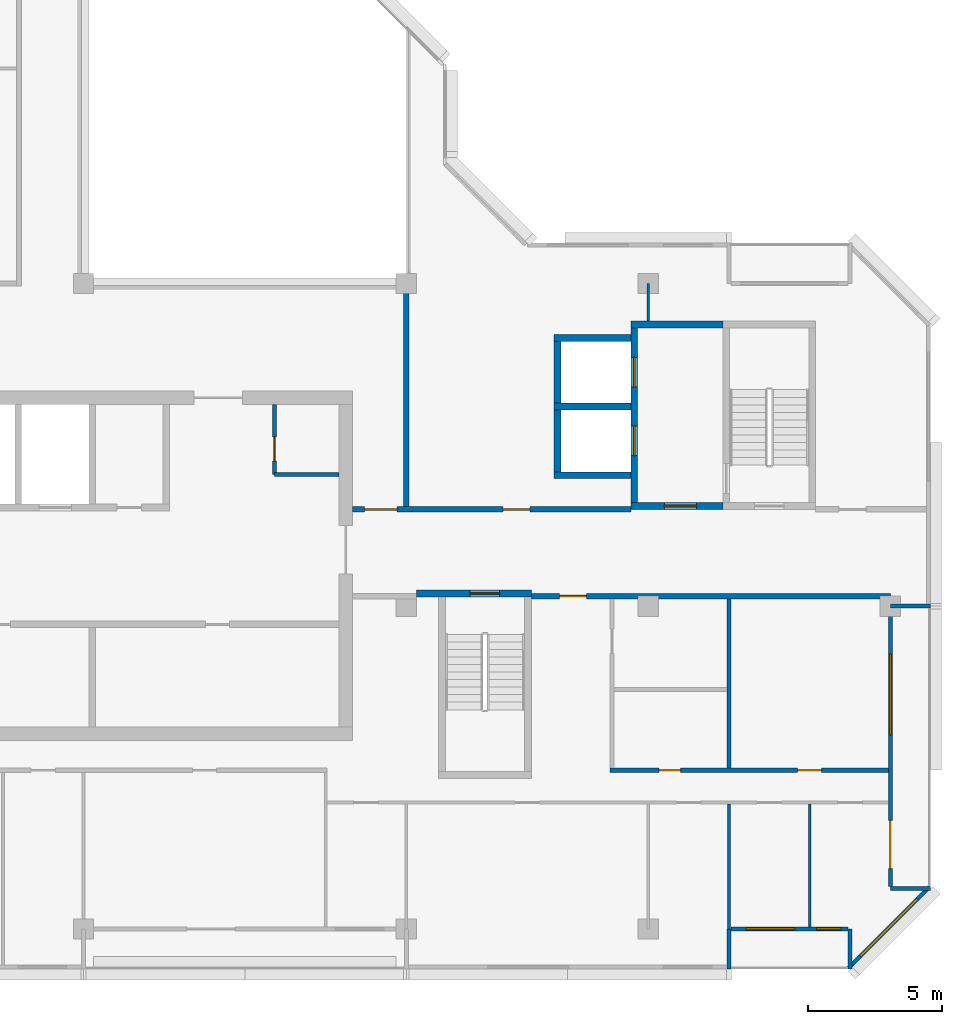
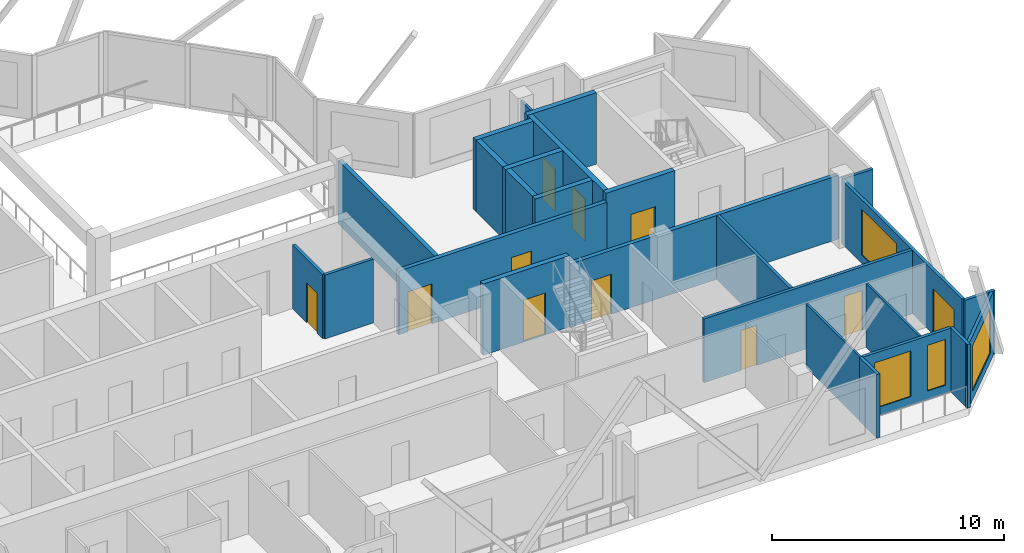
# One storey, part 6 of 12: 26 walls, 11 doors, 4 windows, 15 openings.
"""IFC4 building model written with IfcOpenShell, lengths in metres."""

from ifc_helpers import new_model, si_unit, direction, frame, frame_2d, origin, place, context, subcontext, project, spatial, rectangle, extrude, material, layer, layer_set, type_object, element, fill, save


model = new_model("IFC4")

# Units and contexts
model_context = context("Model", 3, precision=1e-05, world=origin(), true_north=direction((0.0, 1.0)))
body_context = subcontext(model_context, "Body", "Model", "MODEL_VIEW")
ifc_project = project(units=[si_unit("LENGTHUNIT", "METRE"), si_unit("AREAUNIT", "SQUARE_METRE"), si_unit("VOLUMEUNIT", "CUBIC_METRE"), si_unit("PLANEANGLEUNIT", "RADIAN"), si_unit("MASSUNIT", "GRAM", prefix="KILO")], contexts=[model_context])

# Site, building, storey
site_placement = place(None, origin())
site = spatial("IfcSite", under=ifc_project, at=site_placement, CompositionType="ELEMENT")
building_placement = place(site_placement, origin())
building = spatial("IfcBuilding", under=site, at=building_placement, Name="Chenar Terraces", CompositionType="ELEMENT")
storey_placement = place(building_placement, frame((0.0, 0.0, 368.89990234375)))
storey = spatial("IfcBuildingStorey", under=building, at=storey_placement, Name="L86", CompositionType="ELEMENT", Elevation=368.89990234375)

# Wall, opening, door
ifc_material_1 = material(Name="Gypsum board on steel studs", Category="steel")
ifc_layer_1 = layer(ifc_material_1, 0.14990234375)
ifc_layer_set_1 = layer_set([ifc_layer_1], Name="Gypsum board on steel studs")
wall_type_1 = type_object("IfcWallType", Name="Core partition 150 gypsum board", PredefinedType="PARTITIONING", material=ifc_layer_set_1)
wall_1_placement = place(storey_placement, frame((31.10009765625, 16.89990234375, 0.0), z_axis=(0.0, 0.0, 1.0), x_axis=(0.0, 1.0, 0.0)))
wall_1 = element("IfcWall", 1, at=wall_1_placement, inside=storey, type_object=wall_type_1, Name="Core partition CP1 vestibule room west wall", PredefinedType="PARTITIONING", context=body_context, shape_type="SweptSolid", body=[
    extrude(rectangle(XDim=2.60009765625, YDim=0.14990234375, at=frame_2d((1.300048828125, 0.0))), origin(), (0.0, 0.0, 1.0), 3.35009765625),
])
opening_1_placement = place(wall_1_placement, frame((0.5, 0.0, 0.0)))
opening_1 = element("IfcOpeningElement", 2, at=opening_1_placement, cuts=wall_1, Name="Opening DL86-C16", PredefinedType="OPENING", context=body_context, shape_type="SweptSolid", body=[
    extrude(rectangle(XDim=0.89990234375, YDim=2.10009765625, at=frame_2d((0.449951171875, 1.050048828125))), frame((0.0, 0.0849609375, 0.0), z_axis=(0.0, -1.0, 0.0), x_axis=(1.0, 0.0, 0.0)), (0.0, 0.0, 1.0), 0.169921875),
])
ifc_material_2 = material(Name="Steel-framed fire-resisting door leaf", Category="steel")
door_type_1 = type_object("IfcDoorType", Name="Riser fire door FD60 900 x 2100", OperationType="SINGLE_SWING_LEFT", PredefinedType="DOOR", material=ifc_material_2)
door_1_placement = place(opening_1_placement, frame((0.89990234375, 0.0, 0.0), z_axis=(0.0, 0.0, 1.0), x_axis=(-1.0, 0.0, 0.0)))
door_1 = element("IfcDoor", 3, at=door_1_placement, inside=storey, type_object=door_type_1, Name="Core room door DL86-C16", OperationType="SINGLE_SWING_RIGHT", OverallHeight=2.10009765625, OverallWidth=0.89990234375, PredefinedType="DOOR", context=body_context, shape_type="SweptSolid", body=[
    extrude(rectangle(XDim=0.89990234375, YDim=2.10009765625, at=frame_2d((0.449951171875, 1.050048828125))), frame((0.0, 0.02490234375, 0.0), z_axis=(0.0, -1.0, 0.0), x_axis=(1.0, 0.0, 0.0)), (0.0, 0.0, 1.0), 0.050048828125),
])
fill(opening_1, door_1)

# Wall
wall_2_placement = place(storey_placement, frame((31.10009765625, 16.89990234375, 0.0), z_axis=(0.0, 0.0, 1.0), x_axis=(1.0, 0.0, 0.0)))
element("IfcWall", 4, at=wall_2_placement, inside=storey, type_object=wall_type_1, Name="Core partition CP1 vestibule room south wall", PredefinedType="PARTITIONING", context=body_context, shape_type="SweptSolid", body=[
    extrude(rectangle(XDim=2.39990234375, YDim=0.14990234375, at=frame_2d((1.199951171875, 0.0))), origin(), (0.0, 0.0, 1.0), 3.35009765625),
])

# Wall, opening, door
ifc_material_3 = material(Name="Concrete C50/60", Category="concrete")
ifc_layer_2 = layer(ifc_material_3, 0.25)
ifc_layer_set_2 = layer_set([ifc_layer_2], Name="Concrete C50/60")
wall_type_2 = type_object("IfcWallType", Name="Core wall 250 Concrete C50/60", PredefinedType="SHEAR", material=ifc_layer_set_2)
wall_3_placement = place(storey_placement, frame((36.375, 12.47509765625, 0.0), z_axis=(0.0, 0.0, 1.0), x_axis=(1.0, 0.0, 0.0)))
wall_3 = element("IfcWall", 5, at=wall_3_placement, inside=storey, type_object=wall_type_2, Name="Core wall ST2_N L86", PredefinedType="SHEAR", context=body_context, shape_type="SweptSolid", body=[
    extrude(rectangle(XDim=4.27490234375, YDim=0.25, at=frame_2d((2.137451171875, 0.0))), origin(), (0.0, 0.0, 1.0), 3.75),
])
opening_2_placement = place(wall_3_placement, frame((2.0, 0.0, 0.0)))
opening_2 = element("IfcOpeningElement", 6, at=opening_2_placement, cuts=wall_3, Name="Opening DL86-C7", PredefinedType="OPENING", context=body_context, shape_type="SweptSolid", body=[
    extrude(rectangle(XDim=1.10009765625, YDim=2.199951171875, at=frame_2d((0.550048828125, 1.10009765625))), frame((0.0, 0.135009765625, 0.0), z_axis=(0.0, -1.0, 0.0), x_axis=(1.0, 0.0, 0.0)), (0.0, 0.0, 1.0), 0.27001953125),
])
ifc_material_4 = material(Name="Steel-framed fire-resisting door leaf", Category="steel")
door_type_2 = type_object("IfcDoorType", Name="Stair fire door FD60 1100 x 2200", OperationType="SINGLE_SWING_LEFT", PredefinedType="DOOR", material=ifc_material_4)
door_2_placement = place(opening_2_placement, frame((1.10009765625, 0.0, 0.0), z_axis=(0.0, 0.0, 1.0), x_axis=(-1.0, 0.0, 0.0)))
door_2 = element("IfcDoor", 7, at=door_2_placement, inside=storey, type_object=door_type_2, Name="Stair door DL86-C7", OperationType="SINGLE_SWING_LEFT", OverallHeight=2.199951171875, OverallWidth=1.10009765625, PredefinedType="DOOR", context=body_context, shape_type="SweptSolid", body=[
    extrude(rectangle(XDim=1.10009765625, YDim=2.199951171875, at=frame_2d((0.550048828125, 1.10009765625))), frame((0.0, 0.02490234375, 0.0), z_axis=(0.0, -1.0, 0.0), x_axis=(1.0, 0.0, 0.0)), (0.0, 0.0, 1.0), 0.050048828125),
])
fill(opening_2, door_2)

wall_4_placement = place(storey_placement, frame((44.35009765625, 15.72509765625, 0.0), z_axis=(0.0, 0.0, 1.0), x_axis=(1.0, 0.0, 0.0)))
wall_4 = element("IfcWall", 8, at=wall_4_placement, inside=storey, type_object=wall_type_2, Name="Core wall F3_LS L86", PredefinedType="SHEAR", context=body_context, shape_type="SweptSolid", body=[
    extrude(rectangle(XDim=3.4248046875, YDim=0.25, at=frame_2d((1.71240234375, 0.0))), origin(), (0.0, 0.0, 1.0), 3.75),
])
opening_3_placement = place(wall_4_placement, frame((1.25, 0.0, 0.0)))
opening_3 = element("IfcOpeningElement", 9, at=opening_3_placement, cuts=wall_4, Name="Opening DL86-C10", PredefinedType="OPENING", context=body_context, shape_type="SweptSolid", body=[
    extrude(rectangle(XDim=1.199951171875, YDim=2.199951171875, at=frame_2d((0.60009765625, 1.10009765625))), frame((0.0, 0.135009765625, 0.0), z_axis=(0.0, -1.0, 0.0), x_axis=(1.0, 0.0, 0.0)), (0.0, 0.0, 1.0), 0.27001953125),
])
ifc_material_5 = material(Name="Steel-framed fire-resisting door leaf", Category="steel")
door_type_3 = type_object("IfcDoorType", Name="Lobby fire door FD60 1200 x 2200", OperationType="SINGLE_SWING_LEFT", PredefinedType="DOOR", material=ifc_material_5)
door_3_placement = place(opening_3_placement, origin())
door_3 = element("IfcDoor", 10, at=door_3_placement, inside=storey, type_object=door_type_3, Name="Core door DL86-C10", OperationType="SINGLE_SWING_RIGHT", OverallHeight=2.199951171875, OverallWidth=1.199951171875, PredefinedType="DOOR", context=body_context, shape_type="SweptSolid", body=[
    extrude(rectangle(XDim=1.199951171875, YDim=2.199951171875, at=frame_2d((0.60009765625, 1.10009765625))), frame((0.0, 0.02490234375, 0.0), z_axis=(0.0, -1.0, 0.0), x_axis=(1.0, 0.0, 0.0)), (0.0, 0.0, 1.0), 0.050048828125),
])
fill(opening_3, door_3)

# Wall
wall_5_placement = place(storey_placement, frame((44.35009765625, 22.47509765625, 0.0), z_axis=(0.0, 0.0, 1.0), x_axis=(1.0, 0.0, 0.0)))
element("IfcWall", 11, at=wall_5_placement, inside=storey, type_object=wall_type_2, Name="Core wall F3_LN L86", PredefinedType="SHEAR", context=body_context, shape_type="SweptSolid", body=[
    extrude(rectangle(XDim=3.4248046875, YDim=0.25, at=frame_2d((1.71240234375, 0.0))), origin(), (0.0, 0.0, 1.0), 3.75),
])

# Wall, openings, doors
wall_6_placement = place(storey_placement, frame((44.47509765625, 15.85009765625, 0.0), z_axis=(0.0, 0.0, 1.0), x_axis=(0.0, 1.0, 0.0)))
wall_6 = element("IfcWall", 12, at=wall_6_placement, inside=storey, type_object=wall_type_2, Name="Core wall F3_LW L86", PredefinedType="SHEAR", context=body_context, shape_type="SweptSolid", body=[
    extrude(rectangle(XDim=6.5, YDim=0.25, at=frame_2d((3.25, 0.0))), origin(), (0.0, 0.0, 1.0), 3.75),
])
opening_4_placement = place(wall_6_placement, frame((1.75, 0.0, 0.0)))
opening_4 = element("IfcOpeningElement", 13, at=opening_4_placement, cuts=wall_6, Name="Opening DL86-LD8", PredefinedType="OPENING", context=body_context, shape_type="SweptSolid", body=[
    extrude(rectangle(XDim=1.10009765625, YDim=2.199951171875, at=frame_2d((0.550048828125, 1.10009765625))), frame((0.0, 0.135009765625, 0.0), z_axis=(0.0, -1.0, 0.0), x_axis=(1.0, 0.0, 0.0)), (0.0, 0.0, 1.0), 0.27001953125),
])
opening_5_placement = place(wall_6_placement, frame((4.300048828125, 0.0, 0.0)))
opening_5 = element("IfcOpeningElement", 14, at=opening_5_placement, cuts=wall_6, Name="Opening DL86-LD9", PredefinedType="OPENING", context=body_context, shape_type="SweptSolid", body=[
    extrude(rectangle(XDim=1.10009765625, YDim=2.199951171875, at=frame_2d((0.550048828125, 1.10009765625))), frame((0.0, 0.135009765625, 0.0), z_axis=(0.0, -1.0, 0.0), x_axis=(1.0, 0.0, 0.0)), (0.0, 0.0, 1.0), 0.27001953125),
])
ifc_material_6 = material(Name="Stainless steel", Category="steel")
door_type_4 = type_object("IfcDoorType", Name="Lift landing door 1100 x 2200 sliding", OperationType="DOUBLE_DOOR_SLIDING", PredefinedType="DOOR", material=ifc_material_6)
door_4_placement = place(opening_4_placement, origin())
door_4 = element("IfcDoor", 15, at=door_4_placement, inside=storey, type_object=door_type_4, Name="Landing door F3", OperationType="DOUBLE_DOOR_SLIDING", OverallHeight=2.199951171875, OverallWidth=1.10009765625, PredefinedType="DOOR", context=body_context, shape_type="SweptSolid", body=[
    extrude(rectangle(XDim=1.10009765625, YDim=2.199951171875, at=frame_2d((0.550048828125, 1.10009765625))), frame((0.0, 0.02490234375, 0.0), z_axis=(0.0, -1.0, 0.0), x_axis=(1.0, 0.0, 0.0)), (0.0, 0.0, 1.0), 0.050048828125),
])
fill(opening_4, door_4)
door_5_placement = place(opening_5_placement, origin())
door_5 = element("IfcDoor", 16, at=door_5_placement, inside=storey, type_object=door_type_4, Name="Landing door F4", OperationType="DOUBLE_DOOR_SLIDING", OverallHeight=2.199951171875, OverallWidth=1.10009765625, PredefinedType="DOOR", context=body_context, shape_type="SweptSolid", body=[
    extrude(rectangle(XDim=1.10009765625, YDim=2.199951171875, at=frame_2d((0.550048828125, 1.10009765625))), frame((0.0, 0.02490234375, 0.0), z_axis=(0.0, -1.0, 0.0), x_axis=(1.0, 0.0, 0.0)), (0.0, 0.0, 1.0), 0.050048828125),
])
fill(opening_5, door_5)

# Walls
for number, where, z_axis, x_axis, name in (
    (17, (41.5, 16.875, 0.0), (0.0, 0.0, 1.0), (1.0, 0.0, 0.0), "Core wall F3_SS L86"),
    (18, (41.5, 19.425048828125, 0.0), (0.0, 0.0, 1.0), (1.0, 0.0, 0.0), "Core wall F3_SM L86"),
    (19, (41.5, 21.97509765625, 0.0), (0.0, 0.0, 1.0), (1.0, 0.0, 0.0), "Core wall F4_SN L86"),
):
    element("IfcWall", number, at=place(storey_placement, frame(where, z_axis=z_axis, x_axis=x_axis)), inside=storey, type_object=wall_type_2, Name=name, PredefinedType="SHEAR", context=body_context, shape_type="SweptSolid", body=[
        extrude(rectangle(XDim=2.85009765625, YDim=0.25, at=frame_2d((1.425048828125, 0.0))), origin(), (0.0, 0.0, 1.0), 3.75),
    ])
for number, where, z_axis, x_axis, name in (
    (20, (41.625, 17.0, 0.0), (0.0, 0.0, 1.0), (0.0, 1.0, 0.0), "Core wall F3_SW L86"),
    (21, (41.625, 19.550048828125, 0.0), (0.0, 0.0, 1.0), (0.0, 1.0, 0.0), "Core wall F4_SW L86"),
):
    element("IfcWall", number, at=place(storey_placement, frame(where, z_axis=z_axis, x_axis=x_axis)), inside=storey, type_object=wall_type_2, Name=name, PredefinedType="SHEAR", context=body_context, shape_type="SweptSolid", body=[
        extrude(rectangle(XDim=2.300048828125, YDim=0.25, at=frame_2d((1.14990234375, 0.0))), origin(), (0.0, 0.0, 1.0), 3.75),
    ])

# Wall, openings, doors
ifc_material_7 = material(Name="Gypsum board on steel studs with fire boards", Category="steel")
ifc_layer_3 = layer(ifc_material_7, 0.199951171875)
ifc_layer_set_3 = layer_set([ifc_layer_3], Name="Gypsum board on steel studs with fire boards")
wall_type_3 = type_object("IfcWallType", Name="Corridor wall 200", PredefinedType="PARTITIONING", material=ifc_layer_set_3)
wall_7_placement = place(storey_placement, frame((34.0, 15.60009765625, 0.0), z_axis=(0.0, 0.0, 1.0), x_axis=(1.0, 0.0, 0.0)))
wall_7 = element("IfcWall", 22, at=wall_7_placement, inside=storey, type_object=wall_type_3, Name="Partition L86-049", PredefinedType="PARTITIONING", context=body_context, shape_type="SweptSolid", body=[
    extrude(rectangle(XDim=10.35009765625, YDim=0.199951171875, at=frame_2d((5.175048828125, 0.0))), origin(), (0.0, 0.0, 1.0), 3.35009765625),
])
opening_6_placement = place(wall_7_placement, frame((5.60009765625, 0.0, 0.0)))
opening_6 = element("IfcOpeningElement", 23, at=opening_6_placement, cuts=wall_7, Name="Opening DL86-3", PredefinedType="OPENING", context=body_context, shape_type="SweptSolid", body=[
    extrude(rectangle(XDim=1.0, YDim=2.10009765625, at=frame_2d((0.5, 1.050048828125))), frame((0.0, 0.10986328125, 0.0), z_axis=(0.0, -1.0, 0.0), x_axis=(1.0, 0.0, 0.0)), (0.0, 0.0, 1.0), 0.219970703125),
])
opening_7_placement = place(wall_7_placement, frame((0.449951171875, 0.0, 0.0)))
opening_7 = element("IfcOpeningElement", 24, at=opening_7_placement, cuts=wall_7, Name="Opening DL86-16", PredefinedType="OPENING", context=body_context, shape_type="SweptSolid", body=[
    extrude(rectangle(XDim=1.199951171875, YDim=2.10009765625, at=frame_2d((0.60009765625, 1.050048828125))), frame((0.0, 0.10986328125, 0.0), z_axis=(0.0, -1.0, 0.0), x_axis=(1.0, 0.0, 0.0)), (0.0, 0.0, 1.0), 0.219970703125),
])
ifc_material_8 = material(Name="Steel-framed fire-resisting door leaf", Category="steel")
door_type_5 = type_object("IfcDoorType", Name="Fire door FD60 1000 x 2100", OperationType="SINGLE_SWING_LEFT", PredefinedType="DOOR", material=ifc_material_8)
door_6_placement = place(opening_6_placement, origin())
door_6 = element("IfcDoor", 25, at=door_6_placement, inside=storey, type_object=door_type_5, Name="Door DL86-3", OperationType="SINGLE_SWING_RIGHT", OverallHeight=2.10009765625, OverallWidth=1.0, PredefinedType="DOOR", context=body_context, shape_type="SweptSolid", body=[
    extrude(rectangle(XDim=1.0, YDim=2.10009765625, at=frame_2d((0.5, 1.050048828125))), frame((0.0, 0.02490234375, 0.0), z_axis=(0.0, -1.0, 0.0), x_axis=(1.0, 0.0, 0.0)), (0.0, 0.0, 1.0), 0.050048828125),
])
fill(opening_6, door_6)
ifc_material_9 = material(Name="Steel-framed fire-resisting door leaf", Category="steel")
door_type_6 = type_object("IfcDoorType", Name="Fire door FD60 1200 x 2100", OperationType="SINGLE_SWING_LEFT", PredefinedType="DOOR", material=ifc_material_9)
door_7_placement = place(opening_7_placement, origin())
door_7 = element("IfcDoor", 26, at=door_7_placement, inside=storey, type_object=door_type_6, Name="Door DL86-16", OperationType="SINGLE_SWING_RIGHT", OverallHeight=2.10009765625, OverallWidth=1.199951171875, PredefinedType="DOOR", context=body_context, shape_type="SweptSolid", body=[
    extrude(rectangle(XDim=1.199951171875, YDim=2.10009765625, at=frame_2d((0.60009765625, 1.050048828125))), frame((0.0, 0.02490234375, 0.0), z_axis=(0.0, -1.0, 0.0), x_axis=(1.0, 0.0, 0.0)), (0.0, 0.0, 1.0), 0.050048828125),
])
fill(opening_7, door_7)

# Wall
wall_8_placement = place(storey_placement, frame((36.0, 15.699951171875, 0.0), z_axis=(0.0, 0.0, 1.0), x_axis=(0.0, 1.0, 0.0)))
element("IfcWall", 27, at=wall_8_placement, inside=storey, type_object=wall_type_3, Name="Partition L86-051", PredefinedType="PARTITIONING", context=body_context, shape_type="SweptSolid", body=[
    extrude(rectangle(XDim=8.300048828125, YDim=0.199951171875, at=frame_2d((4.14990234375, 0.0))), origin(), (0.0, 0.0, 1.0), 3.35009765625),
])

# Wall, opening, door
wall_9_placement = place(storey_placement, frame((40.64990234375, 12.375, 0.0), z_axis=(0.0, 0.0, 1.0), x_axis=(1.0, 0.0, 0.0)))
wall_9 = element("IfcWall", 28, at=wall_9_placement, inside=storey, type_object=wall_type_3, Name="Partition L86-052", PredefinedType="PARTITIONING", context=body_context, shape_type="SweptSolid", body=[
    extrude(rectangle(XDim=13.35009765625, YDim=0.199951171875, at=frame_2d((6.675048828125, 0.0))), origin(), (0.0, 0.0, 1.0), 3.35009765625),
])
opening_8_placement = place(wall_9_placement, frame((1.050048828125, 0.0, 0.0)))
opening_8 = element("IfcOpeningElement", 29, at=opening_8_placement, cuts=wall_9, Name="Opening DL86-33", PredefinedType="OPENING", context=body_context, shape_type="SweptSolid", body=[
    extrude(rectangle(XDim=1.0, YDim=2.10009765625, at=frame_2d((0.5, 1.050048828125))), frame((0.0, 0.10986328125, 0.0), z_axis=(0.0, -1.0, 0.0), x_axis=(1.0, 0.0, 0.0)), (0.0, 0.0, 1.0), 0.219970703125),
])
ifc_material_10 = material(Name="Steel-framed fire-resisting door leaf", Category="steel")
door_type_7 = type_object("IfcDoorType", Name="Fire door FD30S 1000 x 2100", OperationType="SINGLE_SWING_LEFT", PredefinedType="DOOR", material=ifc_material_10)
door_8_placement = place(opening_8_placement, origin())
door_8 = element("IfcDoor", 30, at=door_8_placement, inside=storey, type_object=door_type_7, Name="Door DL86-33", OperationType="SINGLE_SWING_LEFT", OverallHeight=2.10009765625, OverallWidth=1.0, PredefinedType="DOOR", context=body_context, shape_type="SweptSolid", body=[
    extrude(rectangle(XDim=1.0, YDim=2.10009765625, at=frame_2d((0.5, 1.050048828125))), frame((0.0, 0.02490234375, 0.0), z_axis=(0.0, -1.0, 0.0), x_axis=(1.0, 0.0, 0.0)), (0.0, 0.0, 1.0), 0.050048828125),
])
fill(opening_8, door_8)

# Wall, openings, windows
ifc_material_11 = material(Name="Aluminium framed glazing", Category="aluminium")
ifc_layer_4 = layer(ifc_material_11, 0.14990234375)
ifc_layer_set_4 = layer_set([ifc_layer_4], Name="Aluminium framed glazing")
wall_type_4 = type_object("IfcWallType", Name="Glazed loggia back wall 150", PredefinedType="SOLIDWALL", material=ifc_layer_set_4)
wall_10_placement = place(storey_placement, frame((48.074951171875, 0.0, 0.0), z_axis=(0.0, 0.0, 1.0), x_axis=(1.0, 0.0, 0.0)))
wall_10 = element("IfcWall", 31, at=wall_10_placement, inside=storey, type_object=wall_type_4, Name="Glazed loggia back wall", PredefinedType="SOLIDWALL", context=body_context, shape_type="SweptSolid", body=[
    extrude(rectangle(XDim=4.35009765625, YDim=0.14990234375, at=frame_2d((2.175048828125, 0.0))), origin(), (0.0, 0.0, 1.0), 3.35009765625),
])
opening_9_placement = place(wall_10_placement, frame((0.5625, 0.0, 0.449951171875)))
opening_9 = element("IfcOpeningElement", 32, at=opening_9_placement, cuts=wall_10, Name="Opening W180x240", PredefinedType="OPENING", context=body_context, shape_type="SweptSolid", body=[
    extrude(rectangle(XDim=1.800048828125, YDim=2.39990234375, at=frame_2d((0.89990234375, 1.199951171875))), frame((0.0, 0.0849609375, 0.0), z_axis=(0.0, -1.0, 0.0), x_axis=(1.0, 0.0, 0.0)), (0.0, 0.0, 1.0), 0.169921875),
])
opening_10_placement = place(wall_10_placement, frame((3.1875, 0.0, 0.449951171875)))
opening_10 = element("IfcOpeningElement", 33, at=opening_10_placement, cuts=wall_10, Name="Opening W90x240", PredefinedType="OPENING", context=body_context, shape_type="SweptSolid", body=[
    extrude(rectangle(XDim=0.89990234375, YDim=2.39990234375, at=frame_2d((0.449951171875, 1.199951171875))), frame((0.0, 0.0849609375, 0.0), z_axis=(0.0, -1.0, 0.0), x_axis=(1.0, 0.0, 0.0)), (0.0, 0.0, 1.0), 0.169921875),
])
ifc_material_12 = material(Name="Low emissivity double glazing, aluminium frame", Category="aluminium")
window_type_1 = type_object("IfcWindowType", Name="Fixed light 1800 x 2400", PartitioningType="SINGLE_PANEL", PredefinedType="WINDOW", material=ifc_material_12)
window_1_placement = place(opening_9_placement, origin())
window_1 = element("IfcWindow", 34, at=window_1_placement, inside=storey, type_object=window_type_1, Name="Window", OverallHeight=2.39990234375, OverallWidth=1.800048828125, PartitioningType="SINGLE_PANEL", PredefinedType="WINDOW", context=body_context, shape_type="SweptSolid", body=[
    extrude(rectangle(XDim=1.800048828125, YDim=2.39990234375, at=frame_2d((0.89990234375, 1.199951171875))), frame((0.0, 0.030029296875, 0.0), z_axis=(0.0, -1.0, 0.0), x_axis=(1.0, 0.0, 0.0)), (0.0, 0.0, 1.0), 0.06005859375),
])
fill(opening_9, window_1)
ifc_material_13 = material(Name="Low emissivity double glazing, aluminium frame", Category="aluminium")
window_type_2 = type_object("IfcWindowType", Name="Fixed light 900 x 2400", PartitioningType="SINGLE_PANEL", PredefinedType="WINDOW", material=ifc_material_13)
window_2_placement = place(opening_10_placement, origin())
window_2 = element("IfcWindow", 35, at=window_2_placement, inside=storey, type_object=window_type_2, Name="Window", OverallHeight=2.39990234375, OverallWidth=0.89990234375, PartitioningType="SINGLE_PANEL", PredefinedType="WINDOW", context=body_context, shape_type="SweptSolid", body=[
    extrude(rectangle(XDim=0.89990234375, YDim=2.39990234375, at=frame_2d((0.449951171875, 1.199951171875))), frame((0.0, 0.030029296875, 0.0), z_axis=(0.0, -1.0, 0.0), x_axis=(1.0, 0.0, 0.0)), (0.0, 0.0, 1.0), 0.06005859375),
])
fill(opening_10, window_2)

# Wall, openings, window, door
wall_11_placement = place(storey_placement, frame((54.0, 1.574951171875, 0.0), z_axis=(0.0, 0.0, 1.0), x_axis=(0.0, 1.0, 0.0)))
wall_11 = element("IfcWall", 36, at=wall_11_placement, inside=storey, type_object=wall_type_4, Name="Glazed loggia back wall", PredefinedType="SOLIDWALL", context=body_context, shape_type="SweptSolid", body=[
    extrude(rectangle(XDim=10.35009765625, YDim=0.14990234375, at=frame_2d((5.175048828125, 0.0))), origin(), (0.0, 0.0, 1.0), 3.35009765625),
])
opening_11_placement = place(wall_11_placement, frame((0.66259765625, 0.0, 0.0)))
opening_11 = element("IfcOpeningElement", 37, at=opening_11_placement, cuts=wall_11, Name="Opening DL86-G4", PredefinedType="OPENING", context=body_context, shape_type="SweptSolid", body=[
    extrude(rectangle(XDim=1.800048828125, YDim=2.39990234375, at=frame_2d((0.89990234375, 1.199951171875))), frame((0.0, 0.0849609375, 0.0), z_axis=(0.0, -1.0, 0.0), x_axis=(1.0, 0.0, 0.0)), (0.0, 0.0, 1.0), 0.169921875),
])
opening_12_placement = place(wall_11_placement, frame((5.637451171875, 0.0, 0.449951171875)))
opening_12 = element("IfcOpeningElement", 38, at=opening_12_placement, cuts=wall_11, Name="Opening W300x240", PredefinedType="OPENING", context=body_context, shape_type="SweptSolid", body=[
    extrude(rectangle(XDim=3.0, YDim=2.39990234375, at=frame_2d((1.5, 1.199951171875))), frame((0.0, 0.0849609375, 0.0), z_axis=(0.0, -1.0, 0.0), x_axis=(1.0, 0.0, 0.0)), (0.0, 0.0, 1.0), 0.169921875),
])
ifc_material_14 = material(Name="Low emissivity double glazing, aluminium frame", Category="aluminium")
window_type_3 = type_object("IfcWindowType", Name="Fixed light 3000 x 2400", PartitioningType="SINGLE_PANEL", PredefinedType="WINDOW", material=ifc_material_14)
window_3_placement = place(opening_12_placement, origin())
window_3 = element("IfcWindow", 39, at=window_3_placement, inside=storey, type_object=window_type_3, Name="Window", OverallHeight=2.39990234375, OverallWidth=3.0, PartitioningType="SINGLE_PANEL", PredefinedType="WINDOW", context=body_context, shape_type="SweptSolid", body=[
    extrude(rectangle(XDim=3.0, YDim=2.39990234375, at=frame_2d((1.5, 1.199951171875))), frame((0.0, 0.030029296875, 0.0), z_axis=(0.0, -1.0, 0.0), x_axis=(1.0, 0.0, 0.0)), (0.0, 0.0, 1.0), 0.06005859375),
])
fill(opening_12, window_3)
ifc_material_15 = material(Name="Low emissivity double glazing, aluminium frame", Category="aluminium")
door_type_8 = type_object("IfcDoorType", Name="Loggia glazed double door 1800 x 2400", OperationType="DOUBLE_DOOR_SINGLE_SWING", PredefinedType="DOOR", material=ifc_material_15)
door_9_placement = place(opening_11_placement, frame((1.800048828125, 0.0, 0.0), z_axis=(0.0, 0.0, 1.0), x_axis=(-1.0, 0.0, 0.0)))
door_9 = element("IfcDoor", 40, at=door_9_placement, inside=storey, type_object=door_type_8, Name="Loggia glazed door", OperationType="DOUBLE_DOOR_SINGLE_SWING", OverallHeight=2.39990234375, OverallWidth=1.800048828125, PredefinedType="DOOR", context=body_context, shape_type="SweptSolid", body=[
    extrude(rectangle(XDim=1.800048828125, YDim=2.39990234375, at=frame_2d((0.89990234375, 1.199951171875))), frame((0.0, 0.02490234375, 0.0), z_axis=(0.0, -1.0, 0.0), x_axis=(1.0, 0.0, 0.0)), (0.0, 0.0, 1.0), 0.050048828125),
])
fill(opening_11, door_9)

# Walls
ifc_material_16 = material(Name="Gypsum board on steel studs", Category="steel")
ifc_layer_5 = layer(ifc_material_16, 0.10009765625)
ifc_layer_set_5 = layer_set([ifc_layer_5], Name="Gypsum board on steel studs")
wall_type_5 = type_object("IfcWallType", Name="Gypsum partition 100", PredefinedType="PARTITIONING", material=ifc_layer_set_5)
wall_12_placement = place(storey_placement, frame((45.0, 22.60009765625, 0.0), z_axis=(0.0, 0.0, 1.0), x_axis=(0.0, 1.0, 0.0)))
element("IfcWall", 41, at=wall_12_placement, inside=storey, type_object=wall_type_5, Name="Partition L86-057", PredefinedType="PARTITIONING", context=body_context, shape_type="SweptSolid", body=[
    extrude(rectangle(XDim=1.39990234375, YDim=0.10009765625, at=frame_2d((0.699951171875, 0.0))), origin(), (0.0, 0.0, 1.0), 3.35009765625),
])
wall_13_placement = place(storey_placement, frame((48.0, 0.0, 0.0), z_axis=(0.0, 0.0, 1.0), x_axis=(0.0, 1.0, 0.0)))
element("IfcWall", 42, at=wall_13_placement, inside=storey, type_object=wall_type_5, Name="Partition L86-058", PredefinedType="PARTITIONING", context=body_context, shape_type="SweptSolid", body=[
    extrude(rectangle(XDim=4.64990234375, YDim=0.10009765625, at=frame_2d((2.324951171875, 0.0))), origin(), (0.0, 0.0, 1.0), 3.35009765625),
])
wall_14_placement = place(storey_placement, frame((51.0, 0.073974609375, 0.0), z_axis=(0.0, 0.0, 1.0), x_axis=(0.0, 1.0, 0.0)))
element("IfcWall", 43, at=wall_14_placement, inside=storey, type_object=wall_type_5, Name="Partition L86-060", PredefinedType="PARTITIONING", context=body_context, shape_type="SweptSolid", body=[
    extrude(rectangle(XDim=4.575927734375, YDim=0.10009765625, at=frame_2d((2.2880859375, 0.0))), origin(), (0.0, 0.0, 1.0), 3.35009765625),
])
ifc_material_17 = material(Name="Terracotta cladding on insulated backing", Category="masonry")
ifc_layer_6 = layer(ifc_material_17, 0.14990234375)
ifc_layer_set_6 = layer_set([ifc_layer_6], Name="Terracotta cladding on insulated backing")
wall_type_6 = type_object("IfcWallType", Name="Loggia return wall 150", PredefinedType="SOLIDWALL", material=ifc_layer_set_6)
for number, where, z_axis, x_axis, name in (
    (44, (48.0, -1.5, 0.0), (0.0, 0.0, 1.0), (0.0, 1.0, 0.0), "Loggia return wall"),
    (45, (52.5, -1.5, 0.0), (0.0, 0.0, 1.0), (0.0, 1.0, 0.0), "Loggia return wall"),
    (46, (55.5, 1.5, 0.0), (0.0, 0.0, 1.0), (-1.0, 0.0, 0.0), "Loggia return wall"),
    (47, (55.5, 12.0, 0.0), (0.0, 0.0, 1.0), (-1.0, 0.0, 0.0), "Loggia return wall"),
):
    element("IfcWall", number, at=place(storey_placement, frame(where, z_axis=z_axis, x_axis=x_axis)), inside=storey, type_object=wall_type_6, Name=name, PredefinedType="SOLIDWALL", context=body_context, shape_type="SweptSolid", body=[
        extrude(rectangle(XDim=1.5, YDim=0.14990234375, at=frame_2d((0.75, 0.0))), origin(), (0.0, 0.0, 1.0), 3.35009765625),
    ])

# Wall, opening, window
ifc_material_18 = material(Name="Terracotta cladding on insulated backing", Category="masonry")
ifc_layer_7 = layer(ifc_material_18, 0.14990234375)
ifc_layer_set_7 = layer_set([ifc_layer_7], Name="Terracotta cladding on insulated backing")
wall_type_7 = type_object("IfcWallType", Name="Terracotta rainscreen wall 150", PredefinedType="SOLIDWALL", material=ifc_layer_set_7)
wall_15_placement = place(storey_placement, frame((52.447021484375, -1.447021484375, 0.0), z_axis=(0.0, 0.0, 1.0), x_axis=(0.707106781187, 0.707106781187, 0.0)))
wall_15 = element("IfcWall", 48, at=wall_15_placement, inside=storey, type_object=wall_type_7, Name="Terracotta rainscreen wall", PredefinedType="SOLIDWALL", context=body_context, shape_type="SweptSolid", body=[
    extrude(rectangle(XDim=4.24267578125, YDim=0.14990234375, at=frame_2d((2.121337890625, 0.0))), origin(), (0.0, 0.0, 1.0), 3.35009765625),
])
opening_13_placement = place(wall_15_placement, frame((0.621337890625, 0.0, 0.449951171875)))
opening_13 = element("IfcOpeningElement", 49, at=opening_13_placement, cuts=wall_15, Name="Opening W300x240", PredefinedType="OPENING", context=body_context, shape_type="SweptSolid", body=[
    extrude(rectangle(XDim=3.0, YDim=2.39990234375, at=frame_2d((1.5, 1.199951171875))), frame((0.0, 0.0849609375, 0.0), z_axis=(0.0, -1.0, 0.0), x_axis=(1.0, 0.0, 0.0)), (0.0, 0.0, 1.0), 0.169921875),
])
window_4_placement = place(opening_13_placement, origin())
window_4 = element("IfcWindow", 50, at=window_4_placement, inside=storey, type_object=window_type_3, Name="Window", OverallHeight=2.39990234375, OverallWidth=3.0, PartitioningType="SINGLE_PANEL", PredefinedType="WINDOW", context=body_context, shape_type="SweptSolid", body=[
    extrude(rectangle(XDim=3.0, YDim=2.39990234375, at=frame_2d((1.5, 1.199951171875))), frame((0.0, 0.030029296875, 0.0), z_axis=(0.0, -1.0, 0.0), x_axis=(1.0, 0.0, 0.0)), (0.0, 0.0, 1.0), 0.06005859375),
])
fill(opening_13, window_4)

# Wall, openings, doors
ifc_material_19 = material(Name="Moisture-resistant gypsum board on steel studs", Category="steel")
ifc_layer_8 = layer(ifc_material_19, 0.14990234375)
ifc_layer_set_8 = layer_set([ifc_layer_8], Name="Moisture-resistant gypsum board on steel studs")
wall_type_8 = type_object("IfcWallType", Name="Wet-room partition 150", PredefinedType="PARTITIONING", material=ifc_layer_set_8)
wall_16_placement = place(storey_placement, frame((43.574951171875, 5.89990234375, 0.0), z_axis=(0.0, 0.0, 1.0), x_axis=(1.0, 0.0, 0.0)))
wall_16 = element("IfcWall", 51, at=wall_16_placement, inside=storey, type_object=wall_type_8, Name="Partition L86-053", PredefinedType="PARTITIONING", context=body_context, shape_type="SweptSolid", body=[
    extrude(rectangle(XDim=10.35107421875, YDim=0.14990234375, at=frame_2d((5.175537109375, 0.0))), origin(), (0.0, 0.0, 1.0), 3.35009765625),
])
opening_14_placement = place(wall_16_placement, frame((1.824951171875, 0.0, 0.0)))
opening_14 = element("IfcOpeningElement", 52, at=opening_14_placement, cuts=wall_16, Name="Opening DL86-21", PredefinedType="OPENING", context=body_context, shape_type="SweptSolid", body=[
    extrude(rectangle(XDim=0.800048828125, YDim=2.10009765625, at=frame_2d((0.39990234375, 1.050048828125))), frame((0.0, 0.0849609375, 0.0), z_axis=(0.0, -1.0, 0.0), x_axis=(1.0, 0.0, 0.0)), (0.0, 0.0, 1.0), 0.169921875),
])
opening_15_placement = place(wall_16_placement, frame((6.97509765625, 0.0, 0.0)))
opening_15 = element("IfcOpeningElement", 53, at=opening_15_placement, cuts=wall_16, Name="Opening DL86-32", PredefinedType="OPENING", context=body_context, shape_type="SweptSolid", body=[
    extrude(rectangle(XDim=0.89990234375, YDim=2.10009765625, at=frame_2d((0.449951171875, 1.050048828125))), frame((0.0, 0.0849609375, 0.0), z_axis=(0.0, -1.0, 0.0), x_axis=(1.0, 0.0, 0.0)), (0.0, 0.0, 1.0), 0.169921875),
])
ifc_material_20 = material(Name="Veneered timber door leaf", Category="wood")
door_type_9 = type_object("IfcDoorType", Name="Door 800 x 2100", OperationType="SINGLE_SWING_LEFT", PredefinedType="DOOR", material=ifc_material_20)
door_10_placement = place(opening_14_placement, origin())
door_10 = element("IfcDoor", 54, at=door_10_placement, inside=storey, type_object=door_type_9, Name="Door DL86-21", OperationType="SINGLE_SWING_RIGHT", OverallHeight=2.10009765625, OverallWidth=0.800048828125, PredefinedType="DOOR", context=body_context, shape_type="SweptSolid", body=[
    extrude(rectangle(XDim=0.800048828125, YDim=2.10009765625, at=frame_2d((0.39990234375, 1.050048828125))), frame((0.0, 0.02490234375, 0.0), z_axis=(0.0, -1.0, 0.0), x_axis=(1.0, 0.0, 0.0)), (0.0, 0.0, 1.0), 0.050048828125),
])
fill(opening_14, door_10)
ifc_material_21 = material(Name="Veneered timber door leaf", Category="wood")
door_type_10 = type_object("IfcDoorType", Name="Door 900 x 2100", OperationType="SINGLE_SWING_LEFT", PredefinedType="DOOR", material=ifc_material_21)
door_11_placement = place(opening_15_placement, origin())
door_11 = element("IfcDoor", 55, at=door_11_placement, inside=storey, type_object=door_type_10, Name="Door DL86-32", OperationType="SINGLE_SWING_RIGHT", OverallHeight=2.10009765625, OverallWidth=0.89990234375, PredefinedType="DOOR", context=body_context, shape_type="SweptSolid", body=[
    extrude(rectangle(XDim=0.89990234375, YDim=2.10009765625, at=frame_2d((0.449951171875, 1.050048828125))), frame((0.0, 0.02490234375, 0.0), z_axis=(0.0, -1.0, 0.0), x_axis=(1.0, 0.0, 0.0)), (0.0, 0.0, 1.0), 0.050048828125),
])
fill(opening_15, door_11)

# Wall
wall_17_placement = place(storey_placement, frame((48.0, 5.97509765625, 0.0), z_axis=(0.0, 0.0, 1.0), x_axis=(0.0, 1.0, 0.0)))
element("IfcWall", 56, at=wall_17_placement, inside=storey, type_object=wall_type_8, Name="Partition L86-059", PredefinedType="PARTITIONING", context=body_context, shape_type="SweptSolid", body=[
    extrude(rectangle(XDim=6.2998046875, YDim=0.14990234375, at=frame_2d((3.14990234375, 0.0))), origin(), (0.0, 0.0, 1.0), 3.35009765625),
])

save(model, "model.ifc")
